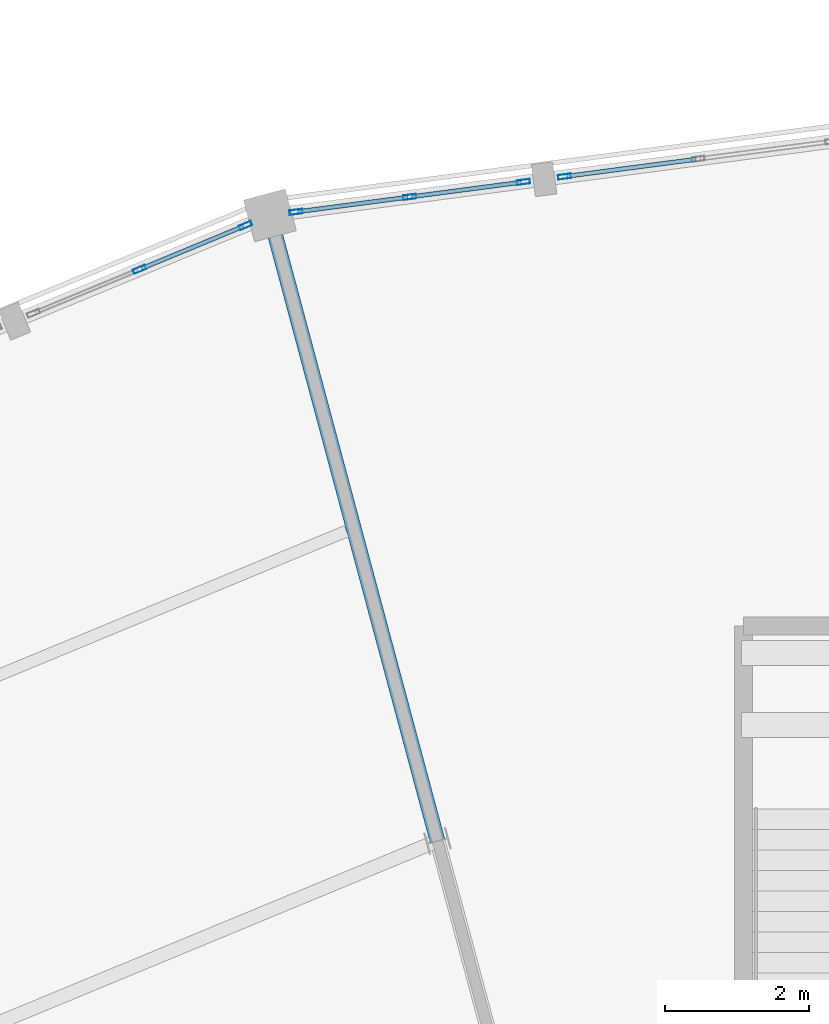
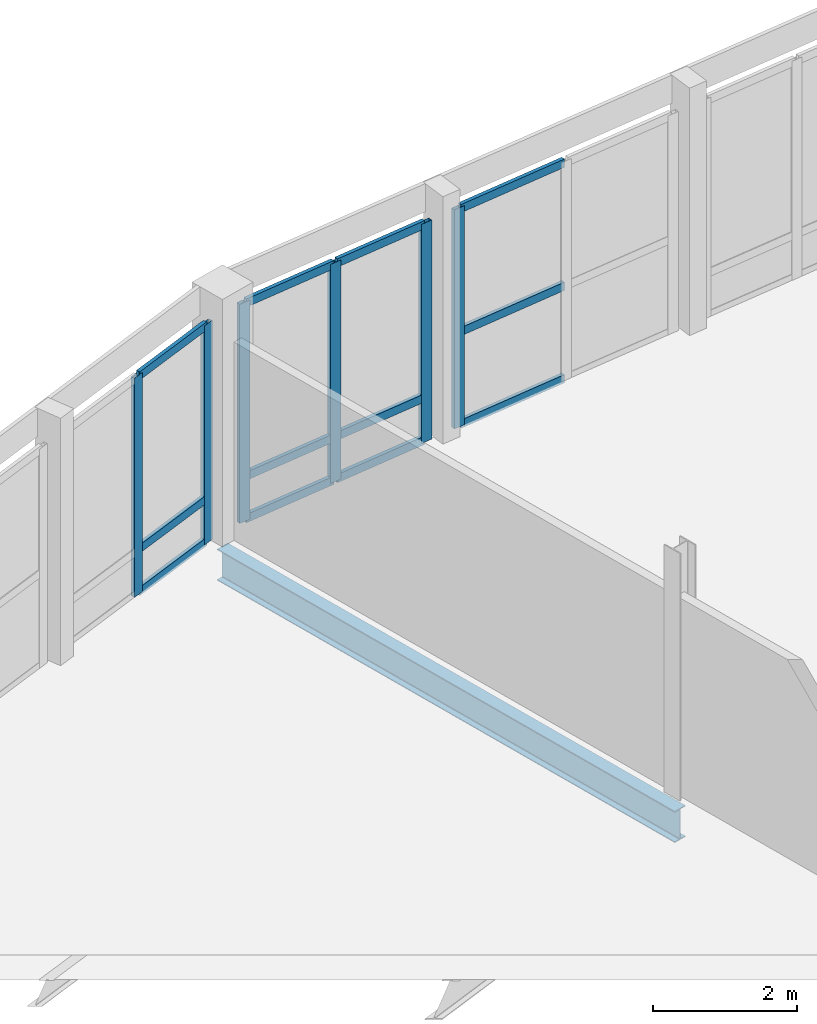
# One storey, part 77 of 170: 18 members, 1 beam, 3 elements without a shape of their own.
"""IFC4 building model written with IfcOpenShell, lengths in metres."""

from ifc_helpers import new_model, si_unit, direction, frame, origin, origin_2d, place, context, subcontext, project, spatial, hollow_rectangle, i_section, extrude, material, material_profile, profile_set, type_object, element, aggregate, save


model = new_model("IFC4")

# Units and contexts
model_context = context("Model", 3, precision=1e-05, world=origin(), true_north=direction((0.0, 1.0)))
body_context = subcontext(model_context, "Body", "Model", "MODEL_VIEW")
ifc_project = project(units=[si_unit("LENGTHUNIT", "METRE"), si_unit("AREAUNIT", "SQUARE_METRE"), si_unit("VOLUMEUNIT", "CUBIC_METRE"), si_unit("PLANEANGLEUNIT", "RADIAN"), si_unit("MASSUNIT", "GRAM", prefix="KILO")], contexts=[model_context])

# Site, building, storey
site_placement = place(None, origin())
site = spatial("IfcSite", under=ifc_project, at=site_placement, CompositionType="ELEMENT")
building_placement = place(site_placement, origin())
building = spatial("IfcBuilding", under=site, at=building_placement, Name="Vondelvale Polytechnic", CompositionType="ELEMENT")
storey_placement = place(building_placement, frame((0.0, 0.0, 5.39990234375)))
storey = spatial("IfcBuildingStorey", under=building, at=storey_placement, Name="L01", CompositionType="ELEMENT", Elevation=5.39990234375)

# Beam
ifc_material_1 = material(Name="Steel 300PLUS (fy = 300 MPa)", Category="steel")
ifc_material_profile_1 = material_profile(ifc_material_1, i_section(OverallWidth=0.208984375, OverallDepth=0.532958984375, WebThickness=0.01025390625, FlangeThickness=0.015625, FilletRadius=0.013916015625, at=origin_2d()), Name="530UB92.4")
ifc_profile_set_1 = profile_set([ifc_material_profile_1], Name="Steel 300PLUS (fy = 300 MPa)")
beam_type = type_object("IfcBeamType", Name="BM-UB530", PredefinedType="BEAM", material=ifc_profile_set_1)
beam_placement = place(storey_placement, frame((92.423583984375, 107.7392578125, -0.54638671875), z_axis=(-0.25881563226, 0.965926740751, 0.0), x_axis=(-0.965926740751, -0.25881563226, 0.0)))
element("IfcBeam", 1, at=beam_placement, inside=storey, type_object=beam_type, Name="L01 RG B-11", PredefinedType="BEAM", context=body_context, shape_type="SweptSolid", body=[
    extrude(i_section(OverallWidth=0.208984375, OverallDepth=0.532958984375, WebThickness=0.01025390625, FlangeThickness=0.015625, FilletRadius=0.013916015625, at=origin_2d()), origin(), (0.0, 0.0, 1.0), 9.0),
])

# Curtain wall, member
ifc_material_2 = material(Name="Glulam GL18 structural Tasmanian oak (fb = 42 MPa)", Category="wood")
curtain_wall_type = type_object("IfcCurtainWallType", Name="CW-RING-OUTER", PredefinedType="NOTDEFINED", material=ifc_material_2)
curtain_wall_1_placement = place(storey_placement, origin())
curtain_wall_1 = element("IfcCurtainWall", 2, at=curtain_wall_1_placement, inside=storey, type_object=curtain_wall_type, Name="L01 architectural curtain wall CW-04-157", PredefinedType="NOTDEFINED")
ifc_material_3 = material(Name="Anodised extruded aluminium 6063-T6", Category="aluminium")
ifc_material_profile_2 = material_profile(ifc_material_3, hollow_rectangle(XDim=0.06494140625, YDim=0.179931640625, WallThickness=0.00390625, at=origin_2d()), Name="CW-MUL-180x65")
ifc_profile_set_2 = profile_set([ifc_material_profile_2], Name="Anodised extruded aluminium 6063-T6")
member_type_1 = type_object("IfcMemberType", Name="CW-MUL-65x180", PredefinedType="MULLION", material=ifc_profile_set_2)
member_1_placement = place(storey_placement, frame((94.189208984375, 116.9716796875, 0.0), z_axis=(0.0, 0.0, 1.0), x_axis=(0.130497251349, -0.991448671082, 0.0)))
member_1 = element("IfcMember", 3, at=member_1_placement, type_object=member_type_1, Name="CW-04-157 mullion 3", PredefinedType="MULLION", context=body_context, shape_type="SweptSolid", body=[
    extrude(hollow_rectangle(XDim=0.06494140625, YDim=0.179931640625, WallThickness=0.00390625, at=origin_2d()), origin(), (0.0, 0.0, 1.0), 3.72021484375),
])

# Curtain wall, members
curtain_wall_2_placement = place(storey_placement, origin())
curtain_wall_2 = element("IfcCurtainWall", 4, at=curtain_wall_2_placement, inside=storey, type_object=curtain_wall_type, Name="L01 architectural curtain wall CW-04-158", PredefinedType="NOTDEFINED")
member_2_placement = place(storey_placement, frame((93.619140625, 116.896728515625, 0.0), z_axis=(0.0, 0.0, 1.0), x_axis=(0.130539547729, -0.991443102996, 0.0)))
member_2 = element("IfcMember", 5, at=member_2_placement, type_object=member_type_1, Name="CW-04-158 mullion 1", PredefinedType="MULLION", context=body_context, shape_type="SweptSolid", body=[
    extrude(hollow_rectangle(XDim=0.06494140625, YDim=0.179931640625, WallThickness=0.00390625, at=origin_2d()), origin(), (0.0, 0.0, 1.0), 3.72021484375),
])
member_3_placement = place(storey_placement, frame((92.037841796875, 116.6884765625, 0.0), z_axis=(0.0, 0.0, 1.0), x_axis=(0.130539547729, -0.991443102996, 0.0)))
member_3 = element("IfcMember", 6, at=member_3_placement, type_object=member_type_1, Name="CW-04-158 mullion 2", PredefinedType="MULLION", context=body_context, shape_type="SweptSolid", body=[
    extrude(hollow_rectangle(XDim=0.06494140625, YDim=0.179931640625, WallThickness=0.00390625, at=origin_2d()), origin(), (0.0, 0.0, 1.0), 3.72021484375),
])
member_4_placement = place(storey_placement, frame((90.45654296875, 116.480224609375, 0.0), z_axis=(0.0, 0.0, 1.0), x_axis=(0.130539547729, -0.991443102996, 0.0)))
member_4 = element("IfcMember", 7, at=member_4_placement, type_object=member_type_1, Name="CW-04-158 mullion 3", PredefinedType="MULLION", context=body_context, shape_type="SweptSolid", body=[
    extrude(hollow_rectangle(XDim=0.06494140625, YDim=0.179931640625, WallThickness=0.00390625, at=origin_2d()), origin(), (0.0, 0.0, 1.0), 3.72021484375),
])

curtain_wall_3_placement = place(storey_placement, origin())
curtain_wall_3 = element("IfcCurtainWall", 8, at=curtain_wall_3_placement, inside=storey, type_object=curtain_wall_type, Name="L01 architectural curtain wall CW-04-176", PredefinedType="NOTDEFINED")
member_5_placement = place(storey_placement, frame((89.7568359375, 116.29296875, 0.0), z_axis=(0.0, 0.0, 1.0), x_axis=(0.382677394529, -0.923882033442, 0.0)))
member_5 = element("IfcMember", 9, at=member_5_placement, type_object=member_type_1, Name="CW-04-176 mullion 1", PredefinedType="MULLION", context=body_context, shape_type="SweptSolid", body=[
    extrude(hollow_rectangle(XDim=0.06494140625, YDim=0.179931640625, WallThickness=0.00390625, at=origin_2d()), origin(), (0.0, 0.0, 1.0), 3.72021484375),
])
member_6_placement = place(storey_placement, frame((88.283203125, 115.6826171875, 0.0), z_axis=(0.0, 0.0, 1.0), x_axis=(0.382677394529, -0.923882033442, 0.0)))
member_6 = element("IfcMember", 10, at=member_6_placement, type_object=member_type_1, Name="CW-04-176 mullion 2", PredefinedType="MULLION", context=body_context, shape_type="SweptSolid", body=[
    extrude(hollow_rectangle(XDim=0.06494140625, YDim=0.179931640625, WallThickness=0.00390625, at=origin_2d()), origin(), (0.0, 0.0, 1.0), 3.72021484375),
])

# Member
ifc_material_profile_3 = material_profile(ifc_material_3, hollow_rectangle(XDim=0.06005859375, YDim=0.139892578125, WallThickness=0.00341796875, at=origin_2d()), Name="CW-TRN-140x60")
ifc_profile_set_3 = profile_set([ifc_material_profile_3], Name="Anodised extruded aluminium 6063-T6")
member_type_2 = type_object("IfcMemberType", Name="CW-TRN-60x140", PredefinedType="USERDEFINED", material=ifc_profile_set_3)
member_7_placement = place(storey_placement, frame((96.014892578125, 117.212158203125, 0.030029296875), z_axis=(-0.991446943979, -0.130510372288, 0.0), x_axis=(0.130510372288, -0.991446943979, 0.0)))
member_7 = element("IfcMember", 11, at=member_7_placement, type_object=member_type_2, Name="CW-04-157 transom 2.1", ObjectType="TRANSOM", PredefinedType="USERDEFINED", context=body_context, shape_type="SweptSolid", body=[
    extrude(hollow_rectangle(XDim=0.06005859375, YDim=0.139892578125, WallThickness=0.00341796875, at=origin_2d()), origin(), (0.0, 0.0, 1.0), 1.808837890625),
])

member_8_placement = place(storey_placement, frame((96.014892578125, 117.212158203125, 1.60009765625), z_axis=(-0.991446943979, -0.130510372288, 0.0), x_axis=(0.130510372288, -0.991446943979, 0.0)))
member_8 = element("IfcMember", 12, at=member_8_placement, type_object=member_type_2, Name="CW-04-157 transom 2.2", ObjectType="TRANSOM", PredefinedType="USERDEFINED", context=body_context, shape_type="SweptSolid", body=[
    extrude(hollow_rectangle(XDim=0.06005859375, YDim=0.139892578125, WallThickness=0.00341796875, at=origin_2d()), origin(), (0.0, 0.0, 1.0), 1.808837890625),
])

member_9_placement = place(storey_placement, frame((96.014892578125, 117.212158203125, 3.690185546875), z_axis=(-0.991446943979, -0.130510372288, 0.0), x_axis=(0.130510372288, -0.991446943979, 0.0)))
member_9 = element("IfcMember", 13, at=member_9_placement, type_object=member_type_2, Name="CW-04-157 transom 2.3", ObjectType="TRANSOM", PredefinedType="USERDEFINED", context=body_context, shape_type="SweptSolid", body=[
    extrude(hollow_rectangle(XDim=0.06005859375, YDim=0.139892578125, WallThickness=0.00341796875, at=origin_2d()), origin(), (0.0, 0.0, 1.0), 1.808837890625),
])

aggregate(curtain_wall_1, [member_1, member_7, member_8, member_9])

member_10_placement = place(storey_placement, frame((93.5869140625, 116.892333984375, 0.030029296875), z_axis=(-0.991443972703, -0.130532942165, 0.0), x_axis=(0.130532942165, -0.991443972703, 0.0)))
member_10 = element("IfcMember", 14, at=member_10_placement, type_object=member_type_2, Name="CW-04-158 transom 1.1", ObjectType="TRANSOM", PredefinedType="USERDEFINED", context=body_context, shape_type="SweptSolid", body=[
    extrude(hollow_rectangle(XDim=0.06005859375, YDim=0.139892578125, WallThickness=0.00341796875, at=origin_2d()), origin(), (0.0, 0.0, 1.0), 1.530029296875),
])

member_11_placement = place(storey_placement, frame((93.5869140625, 116.892333984375, 0.75), z_axis=(-0.991443972703, -0.130532942165, 0.0), x_axis=(0.130532942165, -0.991443972703, 0.0)))
member_11 = element("IfcMember", 15, at=member_11_placement, type_object=member_type_2, Name="CW-04-158 transom 1.2", ObjectType="TRANSOM", PredefinedType="USERDEFINED", context=body_context, shape_type="SweptSolid", body=[
    extrude(hollow_rectangle(XDim=0.06005859375, YDim=0.139892578125, WallThickness=0.00341796875, at=origin_2d()), origin(), (0.0, 0.0, 1.0), 1.530029296875),
])

member_12_placement = place(storey_placement, frame((93.5869140625, 116.892333984375, 3.690185546875), z_axis=(-0.991443972703, -0.130532942165, 0.0), x_axis=(0.130532942165, -0.991443972703, 0.0)))
member_12 = element("IfcMember", 16, at=member_12_placement, type_object=member_type_2, Name="CW-04-158 transom 1.3", ObjectType="TRANSOM", PredefinedType="USERDEFINED", context=body_context, shape_type="SweptSolid", body=[
    extrude(hollow_rectangle(XDim=0.06005859375, YDim=0.139892578125, WallThickness=0.00341796875, at=origin_2d()), origin(), (0.0, 0.0, 1.0), 1.530029296875),
])

member_13_placement = place(storey_placement, frame((92.005615234375, 116.684326171875, 0.030029296875), z_axis=(-0.99142603388, -0.13066912162, 0.0), x_axis=(0.13066912162, -0.99142603388, 0.0)))
member_13 = element("IfcMember", 17, at=member_13_placement, type_object=member_type_2, Name="CW-04-158 transom 2.1", ObjectType="TRANSOM", PredefinedType="USERDEFINED", context=body_context, shape_type="SweptSolid", body=[
    extrude(hollow_rectangle(XDim=0.06005859375, YDim=0.139892578125, WallThickness=0.00341796875, at=origin_2d()), origin(), (0.0, 0.0, 1.0), 1.5302734375),
])

member_14_placement = place(storey_placement, frame((92.005615234375, 116.684326171875, 0.75), z_axis=(-0.99142603388, -0.13066912162, 0.0), x_axis=(0.13066912162, -0.99142603388, 0.0)))
member_14 = element("IfcMember", 18, at=member_14_placement, type_object=member_type_2, Name="CW-04-158 transom 2.2", ObjectType="TRANSOM", PredefinedType="USERDEFINED", context=body_context, shape_type="SweptSolid", body=[
    extrude(hollow_rectangle(XDim=0.06005859375, YDim=0.139892578125, WallThickness=0.00341796875, at=origin_2d()), origin(), (0.0, 0.0, 1.0), 1.5302734375),
])

member_15_placement = place(storey_placement, frame((92.005615234375, 116.684326171875, 3.690185546875), z_axis=(-0.99142603388, -0.13066912162, 0.0), x_axis=(0.13066912162, -0.99142603388, 0.0)))
member_15 = element("IfcMember", 19, at=member_15_placement, type_object=member_type_2, Name="CW-04-158 transom 2.3", ObjectType="TRANSOM", PredefinedType="USERDEFINED", context=body_context, shape_type="SweptSolid", body=[
    extrude(hollow_rectangle(XDim=0.06005859375, YDim=0.139892578125, WallThickness=0.00341796875, at=origin_2d()), origin(), (0.0, 0.0, 1.0), 1.5302734375),
])

aggregate(curtain_wall_2, [member_2, member_3, member_4, member_10, member_11, member_12, member_13, member_14, member_15])

member_16_placement = place(storey_placement, frame((89.726806640625, 116.280517578125, 0.030029296875), z_axis=(-0.923839843027, -0.382779237206, 0.0), x_axis=(0.382779237206, -0.923839843027, 0.0)))
member_16 = element("IfcMember", 20, at=member_16_placement, type_object=member_type_2, Name="CW-04-176 transom 1.1", ObjectType="TRANSOM", PredefinedType="USERDEFINED", context=body_context, shape_type="SweptSolid", body=[
    extrude(hollow_rectangle(XDim=0.06005859375, YDim=0.139892578125, WallThickness=0.00341796875, at=origin_2d()), origin(), (0.0, 0.0, 1.0), 1.530029296875),
])

member_17_placement = place(storey_placement, frame((89.726806640625, 116.280517578125, 0.75), z_axis=(-0.923839843027, -0.382779237206, 0.0), x_axis=(0.382779237206, -0.923839843027, 0.0)))
member_17 = element("IfcMember", 21, at=member_17_placement, type_object=member_type_2, Name="CW-04-176 transom 1.2", ObjectType="TRANSOM", PredefinedType="USERDEFINED", context=body_context, shape_type="SweptSolid", body=[
    extrude(hollow_rectangle(XDim=0.06005859375, YDim=0.139892578125, WallThickness=0.00341796875, at=origin_2d()), origin(), (0.0, 0.0, 1.0), 1.530029296875),
])

member_18_placement = place(storey_placement, frame((89.726806640625, 116.280517578125, 3.690185546875), z_axis=(-0.923839843027, -0.382779237206, 0.0), x_axis=(0.382779237206, -0.923839843027, 0.0)))
member_18 = element("IfcMember", 22, at=member_18_placement, type_object=member_type_2, Name="CW-04-176 transom 1.3", ObjectType="TRANSOM", PredefinedType="USERDEFINED", context=body_context, shape_type="SweptSolid", body=[
    extrude(hollow_rectangle(XDim=0.06005859375, YDim=0.139892578125, WallThickness=0.00341796875, at=origin_2d()), origin(), (0.0, 0.0, 1.0), 1.530029296875),
])

aggregate(curtain_wall_3, [member_5, member_6, member_16, member_17, member_18])

save(model, "model.ifc")
